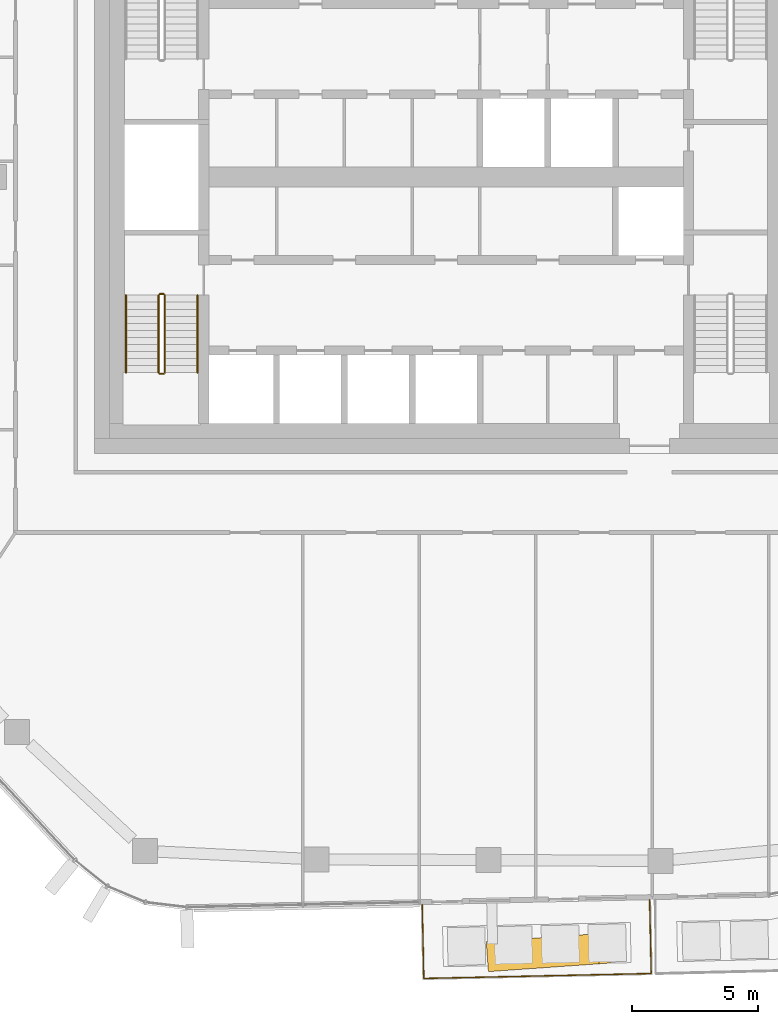
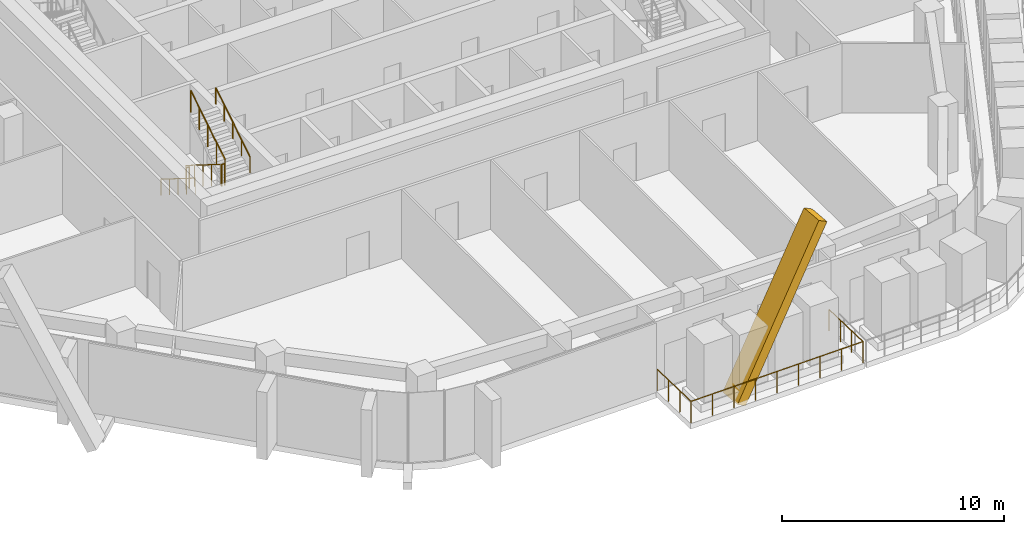
# One storey, part 19 of 23: 7 railings, 1 covering, 1 element without a shape of its own.
"""IFC4 building model written with IfcOpenShell, lengths in metres."""

from ifc_helpers import new_model, si_unit, direction, frame, origin, origin_2d, place, context, subcontext, project, spatial, rectangle, circle, extrude, material, layer, layer_set, material_profile, profile_set, type_object, element, aggregate, save


model = new_model("IFC4")

# Units and contexts
model_context = context("Model", 3, precision=1e-05, world=origin(), true_north=direction((0.0, 1.0)))
body_context = subcontext(model_context, "Body", "Model", "MODEL_VIEW")
ifc_project = project(units=[si_unit("LENGTHUNIT", "METRE"), si_unit("AREAUNIT", "SQUARE_METRE"), si_unit("VOLUMEUNIT", "CUBIC_METRE"), si_unit("PLANEANGLEUNIT", "RADIAN"), si_unit("MASSUNIT", "GRAM", prefix="KILO")], contexts=[model_context])

# Site, building, storey
site_placement = place(None, origin())
site = spatial("IfcSite", under=ifc_project, at=site_placement, CompositionType="ELEMENT")
building_placement = place(site_placement, origin())
building = spatial("IfcBuilding", under=site, at=building_placement, Name="Dongbaek Canopy Tower", CompositionType="ELEMENT")
storey_placement = place(building_placement, frame((0.0, 0.0, 340.39990234375)))
storey = spatial("IfcBuildingStorey", under=building, at=storey_placement, Name="L73", CompositionType="ELEMENT", Elevation=340.39990234375)

# Railing
ifc_material_1 = material(Name="Stainless steel", Category="steel")
railing_type_1 = type_object("IfcRailingType", Name="Balcony balustrade 1200", PredefinedType="BALUSTRADE", material=ifc_material_1)
railing_1_placement = place(storey_placement, frame((-0.948974609375, -28.97021484375, 0.0)))
element("IfcRailing", 1, at=railing_1_placement, inside=storey, type_object=railing_type_1, Name="Balcony guard L73 4", PredefinedType="BALUSTRADE", context=body_context, shape_type="SweptSolid", body=[
    extrude(circle(Radius=0.02392578125, at=origin_2d()), frame((0.0, 0.0, 1.17578125), z_axis=(0.021672649208, -0.999765120554, 0.0), x_axis=(0.999765120554, 0.021672649208, 0.0)), (0.0, 0.0, 1.0), 2.940185546875),
    extrude(circle(Radius=0.02392578125, at=origin_2d()), frame((0.063720703125, -2.939453125, 1.17578125), z_axis=(0.999765123901, 0.021672494799, 0.0), x_axis=(-0.021672494799, 0.999765123901, 0.0)), (0.0, 0.0, 1.0), 9.05712890625),
    extrude(circle(Radius=0.02392578125, at=origin_2d()), frame((9.11865234375, -2.7431640625, 1.17578125), z_axis=(-0.021672649208, 0.999765120554, 0.0), x_axis=(-0.999765120554, -0.021672649208, 0.0)), (0.0, 0.0, 1.0), 2.940185546875),
    extrude(circle(Radius=0.02099609375, at=origin_2d()), origin(), (0.0, 0.0, 1.0), 1.15185546875),
    extrude(circle(Radius=0.02099609375, at=origin_2d()), frame((0.021240234375, -0.979736328125, 0.0)), (0.0, 0.0, 1.0), 1.15185546875),
    extrude(circle(Radius=0.02099609375, at=origin_2d()), frame((0.04248046875, -1.959716796875, 0.0)), (0.0, 0.0, 1.0), 1.15185546875),
    extrude(circle(Radius=0.02099609375, at=origin_2d()), frame((0.063720703125, -2.939453125, 0.0)), (0.0, 0.0, 1.0), 1.15185546875),
    extrude(circle(Radius=0.02099609375, at=origin_2d()), frame((1.195556640625, -2.9150390625, 0.0)), (0.0, 0.0, 1.0), 1.15185546875),
    extrude(circle(Radius=0.02099609375, at=origin_2d()), frame((2.327392578125, -2.890380859375, 0.0)), (0.0, 0.0, 1.0), 1.15185546875),
    extrude(circle(Radius=0.02099609375, at=origin_2d()), frame((3.459228515625, -2.86572265625, 0.0)), (0.0, 0.0, 1.0), 1.15185546875),
    extrude(circle(Radius=0.02099609375, at=origin_2d()), frame((4.59130859375, -2.84130859375, 0.0)), (0.0, 0.0, 1.0), 1.15185546875),
    extrude(circle(Radius=0.02099609375, at=origin_2d()), frame((5.72314453125, -2.81689453125, 0.0)), (0.0, 0.0, 1.0), 1.15185546875),
    extrude(circle(Radius=0.02099609375, at=origin_2d()), frame((6.85498046875, -2.792236328125, 0.0)), (0.0, 0.0, 1.0), 1.15185546875),
    extrude(circle(Radius=0.02099609375, at=origin_2d()), frame((7.98681640625, -2.767578125, 0.0)), (0.0, 0.0, 1.0), 1.15185546875),
    extrude(circle(Radius=0.02099609375, at=origin_2d()), frame((9.11865234375, -2.7431640625, 0.0)), (0.0, 0.0, 1.0), 1.15185546875),
    extrude(circle(Radius=0.02099609375, at=origin_2d()), frame((9.097412109375, -1.763427734375, 0.0)), (0.0, 0.0, 1.0), 1.15185546875),
    extrude(circle(Radius=0.02099609375, at=origin_2d()), frame((9.076171875, -0.783447265625, 0.0)), (0.0, 0.0, 1.0), 1.15185546875),
    extrude(circle(Radius=0.02099609375, at=origin_2d()), frame((9.054931640625, 0.1962890625, 0.0)), (0.0, 0.0, 1.0), 1.15185546875),
])

# Curtain wall, covering
ifc_material_2 = material(Name="Aluminium 6063-T6 pale anodised", Category="aluminium")
ifc_layer = layer(ifc_material_2, 0.199951171875)
ifc_layer_set = layer_set([ifc_layer], Name="CW-1 unitised tower curtain wall")
curtain_wall_type = type_object("IfcCurtainWallType", Name="CW-1 unitised tower curtain wall", PredefinedType="NOTDEFINED", material=ifc_layer_set)
curtain_wall_placement = place(storey_placement, origin())
curtain_wall = element("IfcCurtainWall", 2, at=curtain_wall_placement, inside=storey, type_object=curtain_wall_type, Name="CW-1 curtain wall F4.1", PredefinedType="NOTDEFINED")
ifc_material_3 = material(Name="Aluminium 6063-T6 pale metal fin", Category="aluminium")
ifc_material_profile = material_profile(ifc_material_3, rectangle(XDim=1.199951171875, YDim=0.5, at=origin_2d()), Name="Crease fin CF1 500 x 1200 pale metal")
ifc_profile_set = profile_set([ifc_material_profile], Name="Aluminium 6063-T6 pale metal fin")
covering_type = type_object("IfcCoveringType", Name="Crease fin CF1 500 x 1200 pale metal", PredefinedType="CLADDING", material=ifc_profile_set)
covering_placement = place(storey_placement, frame((1.86376953125, -31.023681640625, -0.18994140625), z_axis=(0.464973130182, 0.032810137373, 0.884716611743), x_axis=(-0.070388490774, 0.997519654125, 0.0)))
covering = element("IfcCovering", 3, at=covering_placement, type_object=covering_type, Name="Crease fin L73 L75 F4", PredefinedType="CLADDING", context=body_context, shape_type="SweptSolid", body=[
    extrude(rectangle(XDim=1.199951171875, YDim=0.5, at=origin_2d()), origin(), (0.0, 0.0, 1.0), 9.49462890625),
])
aggregate(curtain_wall, [covering])

# Railings
ifc_material_4 = material(Name="Stainless steel tube and balusters", Category="steel")
railing_type_2 = type_object("IfcRailingType", Name="Stair guard 1200", PredefinedType="GUARDRAIL", material=ifc_material_4)
railing_2_placement = place(storey_placement, frame((-11.449951171875, -4.699951171875, 0.175048828125)))
element("IfcRailing", 4, at=railing_2_placement, inside=storey, type_object=railing_type_2, Name="L73 ST-D stair guard 1", PredefinedType="GUARDRAIL", context=body_context, shape_type="SweptSolid", body=[
    extrude(circle(Radius=0.02392578125, at=origin_2d()), frame((0.0, 0.0, 1.17578125), z_axis=(0.0, -0.847998304005, 0.529998940003), x_axis=(1.0, 0.0, 0.0)), (0.0, 0.0, 1.0), 3.632080078125),
    extrude(circle(Radius=0.02099609375, at=origin_2d()), origin(), (0.0, 0.0, 1.0), 1.15185546875),
    extrude(circle(Radius=0.02099609375, at=origin_2d()), frame((0.0, -0.77001953125, 0.481201171875)), (0.0, 0.0, 1.0), 1.15185546875),
    extrude(circle(Radius=0.02099609375, at=origin_2d()), frame((0.0, -1.5400390625, 0.96240234375)), (0.0, 0.0, 1.0), 1.15185546875),
    extrude(circle(Radius=0.02099609375, at=origin_2d()), frame((0.0, -2.31005859375, 1.44384765625)), (0.0, 0.0, 1.0), 1.15185546875),
    extrude(circle(Radius=0.02099609375, at=origin_2d()), frame((0.0, -3.080078125, 1.925048828125)), (0.0, 0.0, 1.0), 1.15185546875),
])
railing_3_placement = place(storey_placement, frame((-11.39990234375, -7.830078125, 2.10009765625)))
element("IfcRailing", 5, at=railing_3_placement, inside=storey, type_object=railing_type_2, Name="L73 ST-D stair guard 2", PredefinedType="GUARDRAIL", context=body_context, shape_type="SweptSolid", body=[
    extrude(circle(Radius=0.02392578125, at=origin_2d()), frame((0.0, 0.0, 1.17578125), z_axis=(1.0, 0.0, 0.0), x_axis=(0.0, 1.0, 0.0)), (0.0, 0.0, 1.0), 0.14990234375),
    extrude(circle(Radius=0.02099609375, at=origin_2d()), origin(), (0.0, 0.0, 1.0), 1.15185546875),
    extrude(circle(Radius=0.02099609375, at=origin_2d()), frame((0.14990234375, 0.0, 0.0)), (0.0, 0.0, 1.0), 1.15185546875),
])
railing_4_placement = place(storey_placement, frame((-11.199951171875, -7.780029296875, 2.275146484375)))
element("IfcRailing", 6, at=railing_4_placement, inside=storey, type_object=railing_type_2, Name="L73 ST-D stair guard 3", PredefinedType="GUARDRAIL", context=body_context, shape_type="SweptSolid", body=[
    extrude(circle(Radius=0.02392578125, at=origin_2d()), frame((0.0, 0.0, 1.17578125), z_axis=(0.0, 0.847998304005, 0.529998940003), x_axis=(-1.0, 0.0, 0.0)), (0.0, 0.0, 1.0), 3.632080078125),
    extrude(circle(Radius=0.02099609375, at=origin_2d()), origin(), (0.0, 0.0, 1.0), 1.15185546875),
    extrude(circle(Radius=0.02099609375, at=origin_2d()), frame((0.0, 0.77001953125, 0.481201171875)), (0.0, 0.0, 1.0), 1.15185546875),
    extrude(circle(Radius=0.02099609375, at=origin_2d()), frame((0.0, 1.5400390625, 0.96240234375)), (0.0, 0.0, 1.0), 1.15185546875),
    extrude(circle(Radius=0.02099609375, at=origin_2d()), frame((0.0, 2.31005859375, 1.44384765625)), (0.0, 0.0, 1.0), 1.15185546875),
    extrude(circle(Radius=0.02099609375, at=origin_2d()), frame((0.0, 3.080078125, 1.925048828125)), (0.0, 0.0, 1.0), 1.15185546875),
])
railing_5_placement = place(storey_placement, frame((-11.39990234375, -4.64990234375, 0.0)))
element("IfcRailing", 7, at=railing_5_placement, inside=storey, type_object=railing_type_2, Name="L73 ST-D stair guard 4", PredefinedType="GUARDRAIL", context=body_context, shape_type="SweptSolid", body=[
    extrude(circle(Radius=0.02392578125, at=origin_2d()), frame((0.0, 0.0, 1.17578125), z_axis=(1.0, 0.0, 0.0), x_axis=(0.0, 1.0, 0.0)), (0.0, 0.0, 1.0), 0.14990234375),
    extrude(circle(Radius=0.02099609375, at=origin_2d()), origin(), (0.0, 0.0, 1.0), 1.15185546875),
    extrude(circle(Radius=0.02099609375, at=origin_2d()), frame((0.14990234375, 0.0, 0.0)), (0.0, 0.0, 1.0), 1.15185546875),
])
ifc_material_5 = material(Name="Stainless steel tube", Category="steel")
railing_type_3 = type_object("IfcRailingType", Name="Stair handrail 900", PredefinedType="HANDRAIL", material=ifc_material_5)
railing_6_placement = place(storey_placement, frame((-12.75, -4.699951171875, 0.175048828125)))
element("IfcRailing", 8, at=railing_6_placement, inside=storey, type_object=railing_type_3, Name="L73 ST-D stair handrail 1", PredefinedType="HANDRAIL", context=body_context, shape_type="SweptSolid", body=[
    extrude(circle(Radius=0.02392578125, at=origin_2d()), frame((0.0, 0.0, 0.8759765625), z_axis=(0.0, -0.847998304005, 0.529998940003), x_axis=(1.0, 0.0, 0.0)), (0.0, 0.0, 1.0), 3.632080078125),
    extrude(circle(Radius=0.02099609375, at=origin_2d()), origin(), (0.0, 0.0, 1.0), 0.851806640625),
    extrude(circle(Radius=0.02099609375, at=origin_2d()), frame((0.0, -0.77001953125, 0.481201171875)), (0.0, 0.0, 1.0), 0.851806640625),
    extrude(circle(Radius=0.02099609375, at=origin_2d()), frame((0.0, -1.5400390625, 0.96240234375)), (0.0, 0.0, 1.0), 0.851806640625),
    extrude(circle(Radius=0.02099609375, at=origin_2d()), frame((0.0, -2.31005859375, 1.44384765625)), (0.0, 0.0, 1.0), 0.851806640625),
    extrude(circle(Radius=0.02099609375, at=origin_2d()), frame((0.0, -3.080078125, 1.925048828125)), (0.0, 0.0, 1.0), 0.851806640625),
])
railing_7_placement = place(storey_placement, frame((-9.89990234375, -7.780029296875, 2.275146484375)))
element("IfcRailing", 9, at=railing_7_placement, inside=storey, type_object=railing_type_3, Name="L73 ST-D stair handrail 2", PredefinedType="HANDRAIL", context=body_context, shape_type="SweptSolid", body=[
    extrude(circle(Radius=0.02392578125, at=origin_2d()), frame((0.0, 0.0, 0.8759765625), z_axis=(0.0, 0.847998304005, 0.529998940003), x_axis=(-1.0, 0.0, 0.0)), (0.0, 0.0, 1.0), 3.632080078125),
    extrude(circle(Radius=0.02099609375, at=origin_2d()), origin(), (0.0, 0.0, 1.0), 0.851806640625),
    extrude(circle(Radius=0.02099609375, at=origin_2d()), frame((0.0, 0.77001953125, 0.481201171875)), (0.0, 0.0, 1.0), 0.851806640625),
    extrude(circle(Radius=0.02099609375, at=origin_2d()), frame((0.0, 1.5400390625, 0.96240234375)), (0.0, 0.0, 1.0), 0.851806640625),
    extrude(circle(Radius=0.02099609375, at=origin_2d()), frame((0.0, 2.31005859375, 1.44384765625)), (0.0, 0.0, 1.0), 0.851806640625),
    extrude(circle(Radius=0.02099609375, at=origin_2d()), frame((0.0, 3.080078125, 1.925048828125)), (0.0, 0.0, 1.0), 0.851806640625),
])

save(model, "model.ifc")
